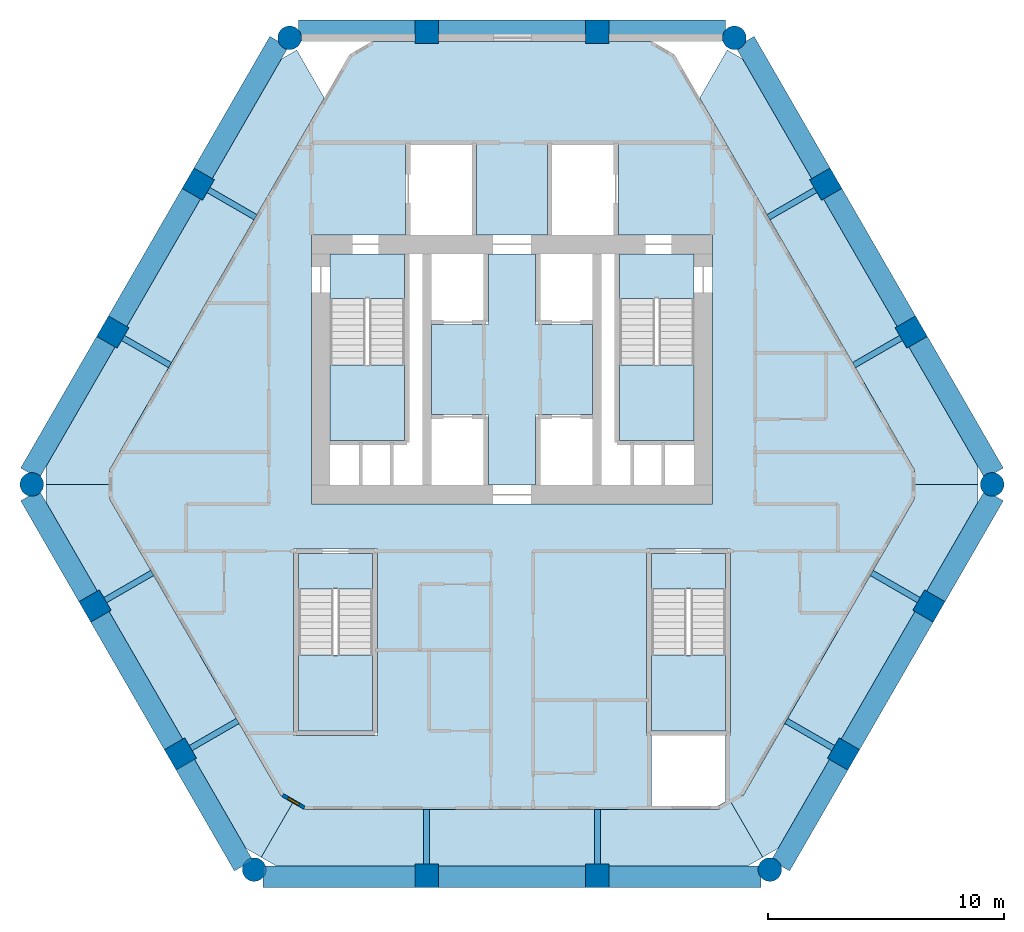
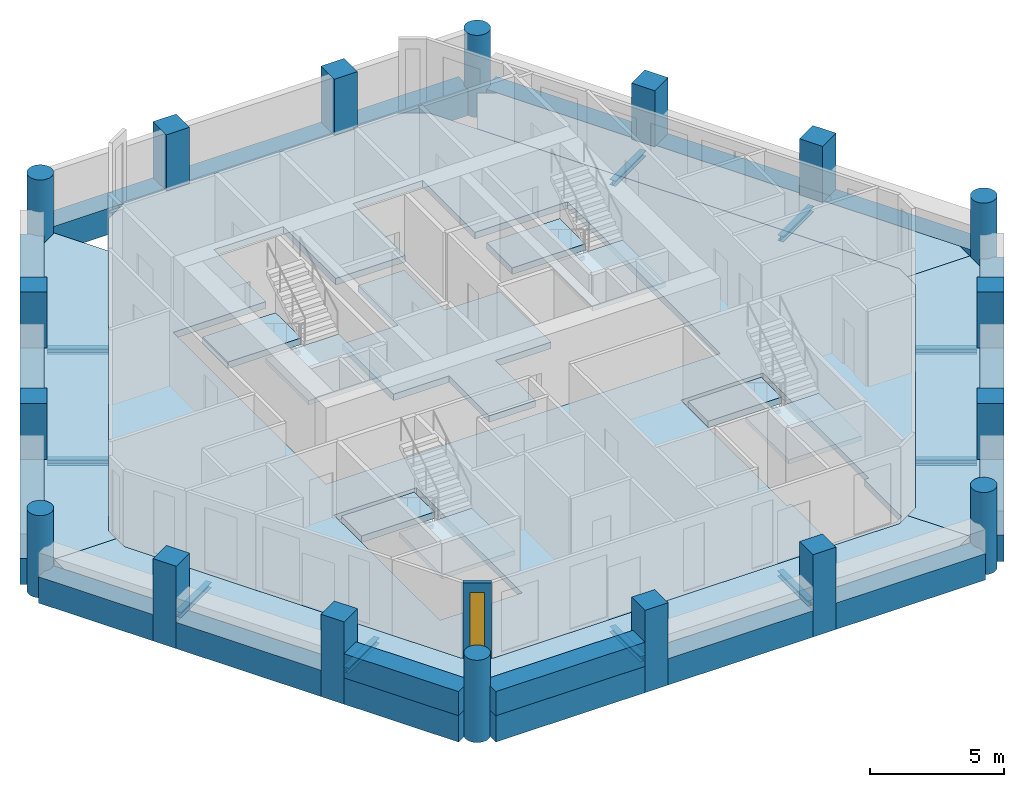
# One storey, part 1 of 7: 28 beams, 18 columns, 15 slabs, 3 walls, 1 window, 1 opening, 4 elements without a shape of their own.
"""IFC4 building model written with IfcOpenShell, lengths in metres."""

from ifc_helpers import new_model, si_unit, direction, frame, frame_2d, origin, origin_2d, place, context, subcontext, project, spatial, polyline, rectangle, circle, i_section, outline, extrude, material, layer, layer_set, material_profile, profile_set, type_object, element, fill, aggregate, save


model = new_model("IFC4")

# Units and contexts
model_context = context("Model", 3, precision=1e-05, world=origin(), true_north=direction((0.0, 1.0)))
body_context = subcontext(model_context, "Body", "Model", "MODEL_VIEW")
ifc_project = project(units=[si_unit("LENGTHUNIT", "METRE"), si_unit("AREAUNIT", "SQUARE_METRE"), si_unit("VOLUMEUNIT", "CUBIC_METRE"), si_unit("PLANEANGLEUNIT", "RADIAN"), si_unit("MASSUNIT", "GRAM", prefix="KILO")], contexts=[model_context])

# Site, building, storey
site_placement = place(None, origin())
site = spatial("IfcSite", under=ifc_project, at=site_placement, CompositionType="ELEMENT")
building_placement = place(site_placement, origin())
building = spatial("IfcBuilding", under=site, at=building_placement, Name="Ostrander Bayou Hotel Tower", CompositionType="ELEMENT")
storey_placement = place(building_placement, frame((0.0, 0.0, 190.75)))
storey = spatial("IfcBuildingStorey", under=building, at=storey_placement, Name="L47", CompositionType="ELEMENT", Elevation=190.75)

# Columns
ifc_material_1 = material(Name="Concrete f'c 60 MPa", Category="concrete")
ifc_material_profile_1 = material_profile(ifc_material_1, circle(Radius=0.5, at=origin_2d()))
ifc_profile_set_1 = profile_set([ifc_material_profile_1], Name="Concrete f'c 60 MPa")
column_type_1 = type_object("IfcColumnType", Name="C5 round column 1000 mm f'c 60 MPa", PredefinedType="COLUMN", material=ifc_profile_set_1)
for number, where, z_axis, x_axis, name in (
    (1, (-9.4169921875, 18.04541015625, -1.199951171875), (0.0, 0.0, 1.0), (1.0, 0.0, 0.0), "C5 L47 K0"),
    (2, (-20.336181640625, -0.8671875, -1.199951171875), (0.0, 0.0, 1.0), (1.0, 0.0, 0.0), "C5 L47 K1"),
    (3, (-10.919189453125, -17.177978515625, -1.199951171875), (0.0, 0.0, 1.0), (1.0, 0.0, 0.0), "C5 L47 K2"),
    (4, (10.919189453125, -17.177978515625, -1.199951171875), (0.0, 0.0, 1.0), (1.0, 0.0, 0.0), "C5 L47 K3"),
    (5, (20.336181640625, -0.8671875, -1.199951171875), (0.0, 0.0, 1.0), (1.0, 0.0, 0.0), "C5 L47 K4"),
    (6, (9.4169921875, 18.04541015625, -1.199951171875), (0.0, 0.0, 1.0), (1.0, 0.0, 0.0), "C5 L47 K5"),
):
    element("IfcColumn", number, at=place(storey_placement, frame(where, z_axis=z_axis, x_axis=x_axis)), inside=storey, type_object=column_type_1, Name=name, PredefinedType="COLUMN", context=body_context, shape_type="SweptSolid", body=[
        extrude(circle(Radius=0.5, at=origin_2d()), origin(), (0.0, 0.0, 1.0), 3.75),
    ])
ifc_material_2 = material(Name="Concrete f'c 60 MPa", Category="concrete")
ifc_material_profile_2 = material_profile(ifc_material_2, rectangle(XDim=1.0, YDim=1.0, at=origin_2d()))
ifc_profile_set_2 = profile_set([ifc_material_profile_2], Name="Concrete f'c 60 MPa")
column_type_2 = type_object("IfcColumnType", Name="C6 square column 1000 x 1000 mm f'c 60 MPa", PredefinedType="COLUMN", material=ifc_profile_set_2)
for number, where, z_axis, x_axis, name in (
    (7, (3.6181640625, 18.300048828125, -1.199951171875), (0.0, 0.0, 1.0), (1.0, 0.0, 0.0), "C6 L47 N1"),
    (8, (-3.6181640625, 18.300048828125, -1.199951171875), (0.0, 0.0, 1.0), (1.0, 0.0, 0.0), "C6 L47 N2"),
    (9, (-13.2880859375, 11.849609375, -1.199951171875), (0.0, 0.0, 1.0), (0.5, 0.866025403784, 0.0), "C6 L47 NW1"),
    (10, (-16.90625, 5.5830078125, -1.199951171875), (0.0, 0.0, 1.0), (0.5, 0.866025403784, 0.0), "C6 L47 NW2"),
    (11, (-17.6572265625, -6.0166015625, -1.199951171875), (0.0, 0.0, 1.0), (-0.5, 0.866025403784, 0.0), "C6 L47 SW1"),
    (12, (-14.039306640625, -12.283203125, -1.199951171875), (0.0, 0.0, 1.0), (-0.5, 0.866025403784, 0.0), "C6 L47 SW2"),
    (13, (-3.6181640625, -17.4326171875, -1.199951171875), (0.0, 0.0, 1.0), (-1.0, 0.0, 0.0), "C6 L47 S1"),
    (14, (3.6181640625, -17.4326171875, -1.199951171875), (0.0, 0.0, 1.0), (-1.0, 0.0, 0.0), "C6 L47 S2"),
    (15, (14.039306640625, -12.283203125, -1.199951171875), (0.0, 0.0, 1.0), (-0.5, -0.866025403784, 0.0), "C6 L47 SE1"),
    (16, (17.6572265625, -6.0166015625, -1.199951171875), (0.0, 0.0, 1.0), (-0.5, -0.866025403784, 0.0), "C6 L47 SE2"),
    (17, (16.90625, 5.5830078125, -1.199951171875), (0.0, 0.0, 1.0), (0.5, -0.866025403784, 0.0), "C6 L47 NE1"),
    (18, (13.2880859375, 11.849609375, -1.199951171875), (0.0, 0.0, 1.0), (0.5, -0.866025403784, 0.0), "C6 L47 NE2"),
):
    element("IfcColumn", number, at=place(storey_placement, frame(where, z_axis=z_axis, x_axis=x_axis)), inside=storey, type_object=column_type_2, Name=name, PredefinedType="COLUMN", context=body_context, shape_type="SweptSolid", body=[
        extrude(rectangle(XDim=1.0, YDim=1.0, at=origin_2d()), origin(), (0.0, 0.0, 1.0), 3.75),
    ])

# Beams
ifc_material_3 = material(Name="Steel ASTM A992", Category="steel")
ifc_material_profile_3 = material_profile(ifc_material_3, i_section(OverallWidth=0.25390625, OverallDepth=0.25341796875, WebThickness=0.008544921875, FlangeThickness=0.01416015625, at=origin_2d()))
ifc_profile_set_3 = profile_set([ifc_material_profile_3], Name="Steel ASTM A992")
beam_type_1 = type_object("IfcBeamType", Name="LB2 loggia bracket W10x49", PredefinedType="BEAM", material=ifc_profile_set_3)
beam_1_placement = place(storey_placement, frame((-12.85498046875, 11.599609375, -0.4267578125), z_axis=(0.86602648383, -0.499998129301, 0.0), x_axis=(0.499998129301, 0.86602648383, 0.0)))
element("IfcBeam", 19, at=beam_1_placement, inside=storey, type_object=beam_type_1, Name="LB2 L47 NW1", PredefinedType="BEAM", context=body_context, shape_type="SweptSolid", body=[
    extrude(i_section(OverallWidth=0.25390625, OverallDepth=0.25341796875, WebThickness=0.008544921875, FlangeThickness=0.01416015625, at=origin_2d()), origin(), (0.0, 0.0, 1.0), 2.2998046875),
])
for number, where, z_axis, x_axis, name in (
    (20, (-16.47314453125, 5.3330078125, -0.4267578125), (0.866053019151, -0.499952165731, 0.0), (0.499952165731, 0.866053019151, 0.0), "LB2 L47 NW2"),
    (21, (-17.224365234375, -5.7666015625, -0.4267578125), (0.866053019151, 0.499952165731, 0.0), (-0.499952165731, 0.866053019151, 0.0), "LB2 L47 SW1"),
):
    element("IfcBeam", number, at=place(storey_placement, frame(where, z_axis=z_axis, x_axis=x_axis)), inside=storey, type_object=beam_type_1, Name=name, PredefinedType="BEAM", context=body_context, shape_type="SweptSolid", body=[
        extrude(i_section(OverallWidth=0.25390625, OverallDepth=0.25341796875, WebThickness=0.008544921875, FlangeThickness=0.01416015625, at=origin_2d()), origin(), (0.0, 0.0, 1.0), 2.300048828125),
    ])
for number, where, z_axis, x_axis, name in (
    (22, (-13.606201171875, -12.033203125, -0.4267578125), (0.86602648383, 0.499998129301, 0.0), (-0.499998129301, 0.86602648383, 0.0), "LB2 L47 SW2"),
    (23, (-3.6181640625, -16.9326171875, -0.4267578125), (0.0, 1.0, 0.0), (-1.0, 0.0, 0.0), "LB2 L47 S1"),
    (24, (3.6181640625, -16.9326171875, -0.4267578125), (0.0, 1.0, 0.0), (-1.0, 0.0, 0.0), "LB2 L47 S2"),
    (25, (13.606201171875, -12.033203125, -0.4267578125), (-0.86602648383, 0.499998129301, 0.0), (-0.499998129301, -0.86602648383, 0.0), "LB2 L47 SE1"),
):
    element("IfcBeam", number, at=place(storey_placement, frame(where, z_axis=z_axis, x_axis=x_axis)), inside=storey, type_object=beam_type_1, Name=name, PredefinedType="BEAM", context=body_context, shape_type="SweptSolid", body=[
        extrude(i_section(OverallWidth=0.25390625, OverallDepth=0.25341796875, WebThickness=0.008544921875, FlangeThickness=0.01416015625, at=origin_2d()), origin(), (0.0, 0.0, 1.0), 2.2998046875),
    ])
for number, where, z_axis, x_axis, name in (
    (26, (17.224365234375, -5.7666015625, -0.4267578125), (-0.866053019151, 0.499952165731, 0.0), (-0.499952165731, -0.866053019151, 0.0), "LB2 L47 SE2"),
    (27, (16.47314453125, 5.3330078125, -0.4267578125), (-0.866053019151, -0.499952165731, 0.0), (0.499952165731, -0.866053019151, 0.0), "LB2 L47 NE1"),
):
    element("IfcBeam", number, at=place(storey_placement, frame(where, z_axis=z_axis, x_axis=x_axis)), inside=storey, type_object=beam_type_1, Name=name, PredefinedType="BEAM", context=body_context, shape_type="SweptSolid", body=[
        extrude(i_section(OverallWidth=0.25390625, OverallDepth=0.25341796875, WebThickness=0.008544921875, FlangeThickness=0.01416015625, at=origin_2d()), origin(), (0.0, 0.0, 1.0), 2.300048828125),
    ])
beam_2_placement = place(storey_placement, frame((12.85498046875, 11.599609375, -0.4267578125), z_axis=(-0.86602648383, -0.499998129301, 0.0), x_axis=(0.499998129301, -0.86602648383, 0.0)))
element("IfcBeam", 28, at=beam_2_placement, inside=storey, type_object=beam_type_1, Name="LB2 L47 NE2", PredefinedType="BEAM", context=body_context, shape_type="SweptSolid", body=[
    extrude(i_section(OverallWidth=0.25390625, OverallDepth=0.25341796875, WebThickness=0.008544921875, FlangeThickness=0.01416015625, at=origin_2d()), origin(), (0.0, 0.0, 1.0), 2.2998046875),
])
ifc_material_4 = material(Name="Concrete f'c 60 MPa", Category="concrete")
ifc_material_profile_4 = material_profile(ifc_material_4, rectangle(XDim=0.89990234375, YDim=1.199951171875, at=origin_2d()))
ifc_profile_set_4 = profile_set([ifc_material_profile_4], Name="Concrete f'c 60 MPa")
beam_type_2 = type_object("IfcBeamType", Name="SP3 spandrel beam 900 x 1200 mm f'c 60 MPa", PredefinedType="SPANDREL", material=ifc_profile_set_4)
beam_3_placement = place(storey_placement, frame((9.050537109375, 18.35009765625, -0.60009765625), z_axis=(-1.0, 0.0, 0.0), x_axis=(0.0, -1.0, 0.0)))
element("IfcBeam", 29, at=beam_3_placement, inside=storey, type_object=beam_type_2, Name="SP3 L47 N-1", PredefinedType="SPANDREL", context=body_context, shape_type="SweptSolid", body=[
    extrude(rectangle(XDim=0.89990234375, YDim=1.199951171875, at=origin_2d()), origin(), (0.0, 0.0, 1.0), 4.96240234375),
])
beam_4_placement = place(storey_placement, frame((3.148193359375, 18.35009765625, -0.60009765625), z_axis=(-1.0, 0.0, 0.0), x_axis=(0.0, -1.0, 0.0)))
element("IfcBeam", 30, at=beam_4_placement, inside=storey, type_object=beam_type_2, Name="SP3 L47 N-2", PredefinedType="SPANDREL", context=body_context, shape_type="SweptSolid", body=[
    extrude(rectangle(XDim=0.89990234375, YDim=1.199951171875, at=origin_2d()), origin(), (0.0, 0.0, 1.0), 6.29638671875),
])
beam_5_placement = place(storey_placement, frame((-4.088134765625, 18.35009765625, -0.60009765625), z_axis=(-1.0, 0.0, 0.0), x_axis=(0.0, -1.0, 0.0)))
element("IfcBeam", 31, at=beam_5_placement, inside=storey, type_object=beam_type_2, Name="SP3 L47 N-3", PredefinedType="SPANDREL", context=body_context, shape_type="SweptSolid", body=[
    extrude(rectangle(XDim=0.89990234375, YDim=1.199951171875, at=origin_2d()), origin(), (0.0, 0.0, 1.0), 4.96240234375),
])
beam_6_placement = place(storey_placement, frame((-9.864013671875, 17.88037109375, -0.60009765625), z_axis=(-0.500005767435, -0.866022073929, 0.0), x_axis=(0.866022073929, -0.500005767435, 0.0)))
element("IfcBeam", 32, at=beam_6_placement, inside=storey, type_object=beam_type_2, Name="SP3 L47 NW-1", PredefinedType="SPANDREL", context=body_context, shape_type="SweptSolid", body=[
    extrude(rectangle(XDim=0.89990234375, YDim=1.199951171875, at=origin_2d()), origin(), (0.0, 0.0, 1.0), 6.46484375),
])
beam_7_placement = place(storey_placement, frame((-13.56640625, 11.467529296875, -0.60009765625), z_axis=(-0.500013351051, -0.866017695414, 0.0), x_axis=(0.866017695414, -0.500013351051, 0.0)))
element("IfcBeam", 33, at=beam_7_placement, inside=storey, type_object=beam_type_2, Name="SP3 L47 NW-2", PredefinedType="SPANDREL", context=body_context, shape_type="SweptSolid", body=[
    extrude(rectangle(XDim=0.89990234375, YDim=1.199951171875, at=origin_2d()), origin(), (0.0, 0.0, 1.0), 6.296142578125),
])
beam_8_placement = place(storey_placement, frame((-17.1845703125, 5.200927734375, -0.60009765625), z_axis=(-0.499977443261, -0.866038426532, 0.0), x_axis=(0.866038426532, -0.499977443261, 0.0)))
element("IfcBeam", 34, at=beam_8_placement, inside=storey, type_object=beam_type_2, Name="SP3 L47 NW-3", PredefinedType="SPANDREL", context=body_context, shape_type="SweptSolid", body=[
    extrude(rectangle(XDim=0.89990234375, YDim=1.199951171875, at=origin_2d()), origin(), (0.0, 0.0, 1.0), 6.464599609375),
])
beam_9_placement = place(storey_placement, frame((-20.416748046875, -1.337158203125, -0.60009765625), z_axis=(0.500017732557, -0.866015165646, 0.0), x_axis=(0.866015165646, 0.500017732557, 0.0)))
element("IfcBeam", 35, at=beam_9_placement, inside=storey, type_object=beam_type_2, Name="SP3 L47 SW-1", PredefinedType="SPANDREL", context=body_context, shape_type="SweptSolid", body=[
    extrude(rectangle(XDim=0.89990234375, YDim=1.199951171875, at=origin_2d()), origin(), (0.0, 0.0, 1.0), 4.962158203125),
])
beam_10_placement = place(storey_placement, frame((-17.465576171875, -6.44873046875, -0.60009765625), z_axis=(0.500013351051, -0.866017695414, 0.0), x_axis=(0.866017695414, 0.500013351051, 0.0)))
element("IfcBeam", 36, at=beam_10_placement, inside=storey, type_object=beam_type_2, Name="SP3 L47 SW-2", PredefinedType="SPANDREL", context=body_context, shape_type="SweptSolid", body=[
    extrude(rectangle(XDim=0.89990234375, YDim=1.199951171875, at=origin_2d()), origin(), (0.0, 0.0, 1.0), 6.296142578125),
])
beam_11_placement = place(storey_placement, frame((-13.847412109375, -12.71533203125, -0.60009765625), z_axis=(0.499996428664, -0.866027465686, 0.0), x_axis=(0.866027465686, 0.499996428664, 0.0)))
element("IfcBeam", 37, at=beam_11_placement, inside=storey, type_object=beam_type_2, Name="SP3 L47 SW-3", PredefinedType="SPANDREL", context=body_context, shape_type="SweptSolid", body=[
    extrude(rectangle(XDim=0.89990234375, YDim=1.199951171875, at=origin_2d()), origin(), (0.0, 0.0, 1.0), 4.96240234375),
])
beam_12_placement = place(storey_placement, frame((-10.552734375, -17.482666015625, -0.60009765625), z_axis=(1.0, 0.0, 0.0), x_axis=(0.0, 1.0, 0.0)))
element("IfcBeam", 38, at=beam_12_placement, inside=storey, type_object=beam_type_2, Name="SP3 L47 S-1", PredefinedType="SPANDREL", context=body_context, shape_type="SweptSolid", body=[
    extrude(rectangle(XDim=0.89990234375, YDim=1.199951171875, at=origin_2d()), origin(), (0.0, 0.0, 1.0), 6.464599609375),
])
beam_13_placement = place(storey_placement, frame((-3.148193359375, -17.482666015625, -0.60009765625), z_axis=(1.0, 0.0, 0.0), x_axis=(0.0, 1.0, 0.0)))
element("IfcBeam", 39, at=beam_13_placement, inside=storey, type_object=beam_type_2, Name="SP3 L47 S-2", PredefinedType="SPANDREL", context=body_context, shape_type="SweptSolid", body=[
    extrude(rectangle(XDim=0.89990234375, YDim=1.199951171875, at=origin_2d()), origin(), (0.0, 0.0, 1.0), 6.29638671875),
])
beam_14_placement = place(storey_placement, frame((4.088134765625, -17.482666015625, -0.60009765625), z_axis=(1.0, 0.0, 0.0), x_axis=(0.0, 1.0, 0.0)))
element("IfcBeam", 40, at=beam_14_placement, inside=storey, type_object=beam_type_2, Name="SP3 L47 S-3", PredefinedType="SPANDREL", context=body_context, shape_type="SweptSolid", body=[
    extrude(rectangle(XDim=0.89990234375, YDim=1.199951171875, at=origin_2d()), origin(), (0.0, 0.0, 1.0), 6.464599609375),
])
beam_15_placement = place(storey_placement, frame((11.3662109375, -17.012939453125, -0.60009765625), z_axis=(0.499996428664, 0.866027465686, 0.0), x_axis=(-0.866027465686, 0.499996428664, 0.0)))
element("IfcBeam", 41, at=beam_15_placement, inside=storey, type_object=beam_type_2, Name="SP3 L47 SE-1", PredefinedType="SPANDREL", context=body_context, shape_type="SweptSolid", body=[
    extrude(rectangle(XDim=0.89990234375, YDim=1.199951171875, at=origin_2d()), origin(), (0.0, 0.0, 1.0), 4.96240234375),
])
beam_16_placement = place(storey_placement, frame((14.3173828125, -11.9013671875, -0.60009765625), z_axis=(0.500013351051, 0.866017695414, 0.0), x_axis=(-0.866017695414, 0.500013351051, 0.0)))
element("IfcBeam", 42, at=beam_16_placement, inside=storey, type_object=beam_type_2, Name="SP3 L47 SE-2", PredefinedType="SPANDREL", context=body_context, shape_type="SweptSolid", body=[
    extrude(rectangle(XDim=0.89990234375, YDim=1.199951171875, at=origin_2d()), origin(), (0.0, 0.0, 1.0), 6.296142578125),
])
beam_17_placement = place(storey_placement, frame((17.935546875, -5.634521484375, -0.60009765625), z_axis=(0.500017732557, 0.866015165646, 0.0), x_axis=(-0.866015165646, 0.500017732557, 0.0)))
element("IfcBeam", 43, at=beam_17_placement, inside=storey, type_object=beam_type_2, Name="SP3 L47 SE-3", PredefinedType="SPANDREL", context=body_context, shape_type="SweptSolid", body=[
    extrude(rectangle(XDim=0.89990234375, YDim=1.199951171875, at=origin_2d()), origin(), (0.0, 0.0, 1.0), 4.962158203125),
])
beam_18_placement = place(storey_placement, frame((20.416748046875, -0.397705078125, -0.60009765625), z_axis=(-0.499977443261, 0.866038426532, 0.0), x_axis=(-0.866038426532, -0.499977443261, 0.0)))
element("IfcBeam", 44, at=beam_18_placement, inside=storey, type_object=beam_type_2, Name="SP3 L47 NE-1", PredefinedType="SPANDREL", context=body_context, shape_type="SweptSolid", body=[
    extrude(rectangle(XDim=0.89990234375, YDim=1.199951171875, at=origin_2d()), origin(), (0.0, 0.0, 1.0), 6.464599609375),
])
beam_19_placement = place(storey_placement, frame((16.714599609375, 6.014892578125, -0.60009765625), z_axis=(-0.500013351051, 0.866017695414, 0.0), x_axis=(-0.866017695414, -0.500013351051, 0.0)))
element("IfcBeam", 45, at=beam_19_placement, inside=storey, type_object=beam_type_2, Name="SP3 L47 NE-2", PredefinedType="SPANDREL", context=body_context, shape_type="SweptSolid", body=[
    extrude(rectangle(XDim=0.89990234375, YDim=1.199951171875, at=origin_2d()), origin(), (0.0, 0.0, 1.0), 6.296142578125),
])
beam_20_placement = place(storey_placement, frame((13.096435546875, 12.28173828125, -0.60009765625), z_axis=(-0.500005767435, 0.866022073929, 0.0), x_axis=(-0.866022073929, -0.500005767435, 0.0)))
element("IfcBeam", 46, at=beam_20_placement, inside=storey, type_object=beam_type_2, Name="SP3 L47 NE-3", PredefinedType="SPANDREL", context=body_context, shape_type="SweptSolid", body=[
    extrude(rectangle(XDim=0.89990234375, YDim=1.199951171875, at=origin_2d()), origin(), (0.0, 0.0, 1.0), 6.46484375),
])

# Slabs
ifc_material_5 = material(Name="Concrete f'c 40 MPa", Category="concrete")
ifc_layer_1 = layer(ifc_material_5, 0.300048828125)
ifc_layer_set_1 = layer_set([ifc_layer_1], Name="SL1 floor slab 300 mm f'c 40 MPa")
slab_type_1 = type_object("IfcSlabType", Name="SL1 floor slab 300 mm f'c 40 MPa", PredefinedType="FLOOR", material=ifc_layer_set_1)
slab_1_placement = place(storey_placement, frame((0.0, 0.0, -0.300048828125)))
element("IfcSlab", 47, at=slab_1_placement, inside=storey, type_object=slab_type_1, Name="SL1 L47 1", PredefinedType="FLOOR", context=body_context, shape_type="SweptSolid", body=[
    extrude(outline(polyline([(6.908203125, 17.300048828125), (17.05078125, -0.267333984375), (17.05078125, -1.46728515625), (9.796142578125, -14.03271484375), (8.7568359375, -14.6328125), (-8.7568359375, -14.6328125), (-9.796142578125, -14.03271484375), (-17.05078125, -1.46728515625), (-17.05078125, -0.267333984375), (-6.908203125, 17.300048828125), (-5.868896484375, 17.89990234375), (5.868896484375, 17.89990234375), (6.908203125, 17.300048828125)]), holes=[polyline([(9.050048828125, -11.5), (9.25, -11.5), (9.25, -3.60009765625), (5.699951171875, -3.60009765625), (5.699951171875, -11.5), (5.89990234375, -11.5), (5.89990234375, -14.482666015625), (8.716796875, -14.482666015625), (9.050048828125, -14.290283203125), (9.050048828125, -11.5)]), polyline([(-8.5, -1.699951171875), (8.5, -1.699951171875), (8.5, 9.699951171875), (4.5, 9.699951171875), (4.5, 13.60009765625), (1.5, 13.60009765625), (1.5, 9.699951171875), (-1.5, 9.699951171875), (-1.5, 13.60009765625), (-4.5, 13.60009765625), (-4.5, 9.699951171875), (-8.5, 9.699951171875), (-8.5, -1.699951171875)]), polyline([(-5.699951171875, -3.60009765625), (-9.25, -3.60009765625), (-9.25, -11.5), (-5.699951171875, -11.5), (-5.699951171875, -3.60009765625)])]), origin(), (0.0, 0.0, 1.0), 0.300048828125),
])
slab_2_placement = place(storey_placement, frame((0.0, 0.0, -0.300048828125)))
element("IfcSlab", 48, at=slab_2_placement, inside=storey, type_object=slab_type_1, Name="cslab:L47:001", PredefinedType="FLOOR", context=body_context, shape_type="SweptSolid", body=[
    extrude(outline(polyline([(-3.39990234375, 5.89990234375), (-1.0, 5.89990234375), (-1.0, 8.89990234375), (1.0, 8.89990234375), (1.0, 5.89990234375), (3.39990234375, 5.89990234375), (3.39990234375, 2.10009765625), (1.0, 2.10009765625), (1.0, -0.89990234375), (-1.0, -0.89990234375), (-1.0, 2.10009765625), (-3.39990234375, 2.10009765625), (-3.39990234375, 5.89990234375)])), origin(), (0.0, 0.0, 1.0), 0.300048828125),
])
slab_3_placement = place(storey_placement, frame((0.0, 0.0, -0.300048828125)))
element("IfcSlab", 49, at=slab_3_placement, inside=storey, type_object=slab_type_1, Name="cslab:L47:002", PredefinedType="FLOOR", context=body_context, shape_type="SweptSolid", body=[
    extrude(outline(polyline([(-4.550048828125, 7.0), (-4.550048828125, 8.89990234375), (-7.699951171875, 8.89990234375), (-7.699951171875, 7.0), (-4.550048828125, 7.0)])), origin(), (0.0, 0.0, 1.0), 0.300048828125),
])
slab_4_placement = place(storey_placement, frame((0.0, 0.0, -0.300048828125)))
element("IfcSlab", 50, at=slab_4_placement, inside=storey, type_object=slab_type_1, Name="cslab:L47:003", PredefinedType="FLOOR", context=body_context, shape_type="SweptSolid", body=[
    extrude(outline(polyline([(7.699951171875, 7.0), (7.699951171875, 8.89990234375), (4.550048828125, 8.89990234375), (4.550048828125, 7.0), (7.699951171875, 7.0)])), origin(), (0.0, 0.0, 1.0), 0.300048828125),
])
slab_5_placement = place(storey_placement, frame((0.0, 0.0, -0.300048828125)))
element("IfcSlab", 51, at=slab_5_placement, inside=storey, type_object=slab_type_1, Name="cslab:L47:004", PredefinedType="FLOOR", context=body_context, shape_type="SweptSolid", body=[
    extrude(outline(polyline([(9.050048828125, -5.300048828125), (9.050048828125, -3.800048828125), (5.89990234375, -3.800048828125), (5.89990234375, -5.300048828125), (9.050048828125, -5.300048828125)])), origin(), (0.0, 0.0, 1.0), 0.300048828125),
])
slab_6_placement = place(storey_placement, frame((0.0, 0.0, -0.300048828125)))
element("IfcSlab", 52, at=slab_6_placement, inside=storey, type_object=slab_type_1, Name="cslab:L47:005", PredefinedType="FLOOR", context=body_context, shape_type="SweptSolid", body=[
    extrude(outline(polyline([(-5.89990234375, -5.300048828125), (-5.89990234375, -3.800048828125), (-9.050048828125, -3.800048828125), (-9.050048828125, -5.300048828125), (-5.89990234375, -5.300048828125)])), origin(), (0.0, 0.0, 1.0), 0.300048828125),
])
ifc_material_6 = material(Name="Concrete f'c 40 MPa", Category="concrete")
ifc_layer_2 = layer(ifc_material_6, 0.300048828125)
ifc_layer_set_2 = layer_set([ifc_layer_2], Name="SL4 loggia slab 300 mm f'c 40 MPa")
slab_type_2 = type_object("IfcSlabType", Name="SL4 loggia slab 300 mm f'c 40 MPa", PredefinedType="FLOOR", material=ifc_layer_set_2)
slab_7_placement = place(storey_placement, frame((0.0, 0.0, -0.300048828125)))
element("IfcSlab", 53, at=slab_7_placement, inside=storey, type_object=slab_type_2, Name="SL4 LOGGIA L47 NW 1", PredefinedType="FLOOR", context=body_context, shape_type="SweptSolid", body=[
    extrude(outline(polyline([(-19.7353515625, -0.8671875), (-19.7353515625, -0.1171875), (-16.794677734375, 4.97607421875), (-16.32470703125, 5.7900390625), (-13.65087890625, 10.42138671875), (-12.706787109375, 12.056640625), (-9.76611328125, 17.14990234375), (-9.116455078125, 17.52490234375), (-7.947509765625, 15.5), (-17.05078125, -0.267333984375), (-17.05078125, -0.8671875), (-19.7353515625, -0.8671875)])), origin(), (0.0, 0.0, 1.0), 0.300048828125),
])
slab_8_placement = place(storey_placement, frame((0.0, 0.0, -0.300048828125)))
element("IfcSlab", 54, at=slab_8_placement, inside=storey, type_object=slab_type_2, Name="SL4 LOGGIA L47 SW 1", PredefinedType="FLOOR", context=body_context, shape_type="SweptSolid", body=[
    extrude(outline(polyline([(-9.276611328125, -14.332763671875), (-10.618896484375, -16.65771484375), (-11.268310546875, -16.28271484375), (-15.206298828125, -9.4619140625), (-17.075927734375, -6.2236328125), (-17.5458984375, -5.40966796875), (-19.7353515625, -1.6171875), (-19.7353515625, -0.8671875), (-17.05078125, -0.8671875), (-17.05078125, -1.46728515625), (-9.796142578125, -14.03271484375), (-9.276611328125, -14.332763671875)])), origin(), (0.0, 0.0, 1.0), 0.300048828125),
])
slab_9_placement = place(storey_placement, frame((0.0, 0.0, -0.300048828125)))
element("IfcSlab", 55, at=slab_9_placement, inside=storey, type_object=slab_type_2, Name="SL4 LOGGIA L47 S 1", PredefinedType="FLOOR", context=body_context, shape_type="SweptSolid", body=[
    extrude(outline(polyline([(9.276611328125, -14.332763671875), (10.618896484375, -16.65771484375), (9.96923828125, -17.03271484375), (4.088134765625, -17.03271484375), (3.148193359375, -17.03271484375), (0.0, -17.03271484375), (-9.96923828125, -17.03271484375), (-10.618896484375, -16.65771484375), (-9.276611328125, -14.332763671875), (-8.7568359375, -14.6328125), (8.7568359375, -14.6328125), (9.276611328125, -14.332763671875)])), origin(), (0.0, 0.0, 1.0), 0.300048828125),
])
slab_10_placement = place(storey_placement, frame((0.0, 0.0, -0.300048828125)))
element("IfcSlab", 56, at=slab_10_placement, inside=storey, type_object=slab_type_2, Name="SL4 LOGGIA L47 SE 1", PredefinedType="FLOOR", context=body_context, shape_type="SweptSolid", body=[
    extrude(outline(polyline([(17.05078125, -0.8671875), (19.7353515625, -0.8671875), (19.7353515625, -1.6171875), (19.4541015625, -2.1044921875), (17.5458984375, -5.40966796875), (17.075927734375, -6.2236328125), (13.927734375, -11.67626953125), (13.457763671875, -12.490478515625), (11.268310546875, -16.28271484375), (10.618896484375, -16.65771484375), (9.276611328125, -14.332763671875), (9.796142578125, -14.03271484375), (17.05078125, -1.46728515625), (17.05078125, -0.8671875)])), origin(), (0.0, 0.0, 1.0), 0.300048828125),
])
slab_11_placement = place(storey_placement, frame((0.0, 0.0, -0.300048828125)))
element("IfcSlab", 57, at=slab_11_placement, inside=storey, type_object=slab_type_2, Name="SL4 LOGGIA L47 NE 1", PredefinedType="FLOOR", context=body_context, shape_type="SweptSolid", body=[
    extrude(outline(polyline([(9.116455078125, 17.52490234375), (9.76611328125, 17.14990234375), (17.20947265625, 4.257568359375), (19.72509765625, -0.099365234375), (19.7353515625, -0.1171875), (19.7353515625, -0.8671875), (17.05078125, -0.8671875), (17.05078125, -0.267333984375), (7.947509765625, 15.5), (9.116455078125, 17.52490234375)])), origin(), (0.0, 0.0, 1.0), 0.300048828125),
])

# Stair, slab
ifc_material_7 = material(Name="Concrete f'c 45 MPa", Category="concrete")
stair_type = type_object("IfcStairType", Name="ST1 exit stair 1500 mm f'c 45 MPa", PredefinedType="HALF_TURN_STAIR", material=ifc_material_7)
stair_1_placement = place(storey_placement, origin())
stair_1 = element("IfcStair", 58, at=stair_1_placement, inside=storey, type_object=stair_type, Name="L47 exit stair A", PredefinedType="HALF_TURN_STAIR")
ifc_material_8 = material(Name="Concrete f'c 45 MPa", Category="concrete")
ifc_layer_3 = layer(ifc_material_8, 0.199951171875)
ifc_layer_set_3 = layer_set([ifc_layer_3], Name="SL8 stair landing 200 mm f'c 45 MPa")
slab_type_3 = type_object("IfcSlabType", Name="SL8 stair landing 200 mm f'c 45 MPa", PredefinedType="LANDING", material=ifc_layer_set_3)
slab_12_placement = place(storey_placement, frame((0.0, 0.0, 1.675048828125)))
slab_12 = element("IfcSlab", 59, at=slab_12_placement, type_object=slab_type_3, Name="STA landing 1", PredefinedType="LANDING", context=body_context, shape_type="SweptSolid", body=[
    extrude(outline(polyline([(-7.699951171875, 4.199951171875), (-7.699951171875, 1.0), (-4.550048828125, 1.0), (-4.550048828125, 4.199951171875), (-7.699951171875, 4.199951171875)])), origin(), (0.0, 0.0, 1.0), 0.199951171875),
])
aggregate(stair_1, [slab_12])

stair_2_placement = place(storey_placement, origin())
stair_2 = element("IfcStair", 60, at=stair_2_placement, inside=storey, type_object=stair_type, Name="L47 exit stair B", PredefinedType="HALF_TURN_STAIR")
slab_13_placement = place(storey_placement, frame((0.0, 0.0, 1.675048828125)))
slab_13 = element("IfcSlab", 61, at=slab_13_placement, type_object=slab_type_3, Name="STB landing 1", PredefinedType="LANDING", context=body_context, shape_type="SweptSolid", body=[
    extrude(outline(polyline([(4.550048828125, 4.199951171875), (4.550048828125, 1.0), (7.699951171875, 1.0), (7.699951171875, 4.199951171875), (4.550048828125, 4.199951171875)])), origin(), (0.0, 0.0, 1.0), 0.199951171875),
])
aggregate(stair_2, [slab_13])

stair_3_placement = place(storey_placement, origin())
stair_3 = element("IfcStair", 62, at=stair_3_placement, inside=storey, type_object=stair_type, Name="L47 exit stair C", PredefinedType="HALF_TURN_STAIR")
slab_14_placement = place(storey_placement, frame((0.0, 0.0, 1.675048828125)))
slab_14 = element("IfcSlab", 63, at=slab_14_placement, type_object=slab_type_3, Name="STC landing 1", PredefinedType="LANDING", context=body_context, shape_type="SweptSolid", body=[
    extrude(outline(polyline([(5.89990234375, -8.10009765625), (5.89990234375, -11.300048828125), (9.050048828125, -11.300048828125), (9.050048828125, -8.10009765625), (5.89990234375, -8.10009765625)])), origin(), (0.0, 0.0, 1.0), 0.199951171875),
])
aggregate(stair_3, [slab_14])

stair_4_placement = place(storey_placement, origin())
stair_4 = element("IfcStair", 64, at=stair_4_placement, inside=storey, type_object=stair_type, Name="L47 exit stair D", PredefinedType="HALF_TURN_STAIR")
slab_15_placement = place(storey_placement, frame((0.0, 0.0, 1.675048828125)))
slab_15 = element("IfcSlab", 65, at=slab_15_placement, type_object=slab_type_3, Name="STD landing 1", PredefinedType="LANDING", context=body_context, shape_type="SweptSolid", body=[
    extrude(outline(polyline([(-9.050048828125, -8.10009765625), (-9.050048828125, -11.300048828125), (-5.89990234375, -11.300048828125), (-5.89990234375, -8.10009765625), (-9.050048828125, -8.10009765625)])), origin(), (0.0, 0.0, 1.0), 0.199951171875),
])
aggregate(stair_4, [slab_15])

# Wall, opening, window
ifc_material_9 = material(Name="Aluminium framed insulated wall", Category="aluminium")
ifc_layer_4 = layer(ifc_material_9, 0.14990234375)
ifc_layer_set_4 = layer_set([ifc_layer_4], Name="GW1 glass-line wall 150 mm")
wall_type_1 = type_object("IfcWallType", Name="GW1 glass-line wall 150 mm", PredefinedType="SOLIDWALL", material=ifc_layer_set_4)
wall_1_placement = place(storey_placement, frame((-9.7138671875, -14.025146484375, 0.0), z_axis=(0.0, 0.0, 1.0), x_axis=(0.866048165231, -0.499960573946, 0.0)))
wall_1 = element("IfcWall", 66, at=wall_1_placement, inside=storey, type_object=wall_type_1, Name="GW1 L47 corner 3", PredefinedType="SOLIDWALL", context=body_context, shape_type="SweptSolid", body=[
    extrude(rectangle(XDim=1.06494140625, YDim=0.14990234375, at=frame_2d((0.532470703125, 0.0))), origin(), (0.0, 0.0, 1.0), 3.449951171875),
])
opening_placement = place(wall_1_placement, frame((0.257568359375, 0.0, 0.14990234375)))
opening = element("IfcOpeningElement", 67, at=opening_placement, cuts=wall_1, Name="Opening W19", PredefinedType="OPENING", context=body_context, shape_type="SweptSolid", body=[
    extrude(rectangle(XDim=0.550048828125, YDim=2.85009765625, at=frame_2d((0.27490234375, 1.425048828125))), frame((0.0, 0.074951171875, 0.0), z_axis=(0.0, -1.0, 0.0), x_axis=(1.0, 0.0, 0.0)), (0.0, 0.0, 1.0), 0.14990234375),
])
ifc_material_10 = material(Name="Aluminium and clear glass", Category="aluminium")
window_type = type_object("IfcWindowType", Name="W19 corner window 550 mm", PartitioningType="SINGLE_PANEL", PredefinedType="WINDOW", material=ifc_material_10)
window_placement = place(opening_placement, origin())
window = element("IfcWindow", 68, at=window_placement, inside=storey, type_object=window_type, Name="W19 L47 corner 3", OverallHeight=2.85009765625, OverallWidth=0.550048828125, PartitioningType="SINGLE_PANEL", PredefinedType="WINDOW", context=body_context, shape_type="SweptSolid", body=[
    extrude(rectangle(XDim=0.550048828125, YDim=2.85009765625, at=frame_2d((0.27490234375, 1.425048828125))), frame((0.0, 0.030029296875, 0.0), z_axis=(0.0, -1.0, 0.0), x_axis=(1.0, 0.0, 0.0)), (0.0, 0.0, 1.0), 0.06005859375),
])
fill(opening, window)

# Walls
ifc_material_11 = material(Name="Concrete f'c 40 MPa", Category="concrete")
ifc_layer_5 = layer(ifc_material_11, 0.89990234375)
ifc_layer_set_5 = layer_set([ifc_layer_5], Name="PA1 stone-faced parapet 900 mm")
wall_type_2 = type_object("IfcWallType", Name="PA1 stone-faced parapet 900 mm", PredefinedType="PARAPET", material=ifc_layer_set_5)
wall_2_placement = place(storey_placement, frame((-10.552734375, -17.482666015625, 0.0), z_axis=(0.0, 0.0, 1.0), x_axis=(1.0, 0.0, 0.0)))
element("IfcWall", 69, at=wall_2_placement, inside=storey, type_object=wall_type_2, Name="PA1 L47 S-1", PredefinedType="PARAPET", context=body_context, shape_type="SweptSolid", body=[
    extrude(rectangle(XDim=6.464599609375, YDim=0.89990234375, at=frame_2d((3.232421875, 0.0))), origin(), (0.0, 0.0, 1.0), 1.10009765625),
])
ifc_material_12 = material(Name="Limestone masonry", Category="masonry")
ifc_layer_6 = layer(ifc_material_12, 0.89990234375)
ifc_layer_set_6 = layer_set([ifc_layer_6], Name="PA2 limestone parapet 900 mm")
wall_type_3 = type_object("IfcWallType", Name="PA2 limestone parapet 900 mm", PredefinedType="PARAPET", material=ifc_layer_set_6)
wall_3_placement = place(storey_placement, frame((-13.847412109375, -12.71533203125, 0.0), z_axis=(0.0, 0.0, 1.0), x_axis=(0.499996428664, -0.866027465686, 0.0)))
element("IfcWall", 70, at=wall_3_placement, inside=storey, type_object=wall_type_3, Name="PA2 L47 SW-3", PredefinedType="PARAPET", context=body_context, shape_type="SweptSolid", body=[
    extrude(rectangle(XDim=4.96240234375, YDim=0.89990234375, at=frame_2d((2.481201171875, 0.0))), origin(), (0.0, 0.0, 1.0), 1.10009765625),
])

save(model, "model.ifc")
